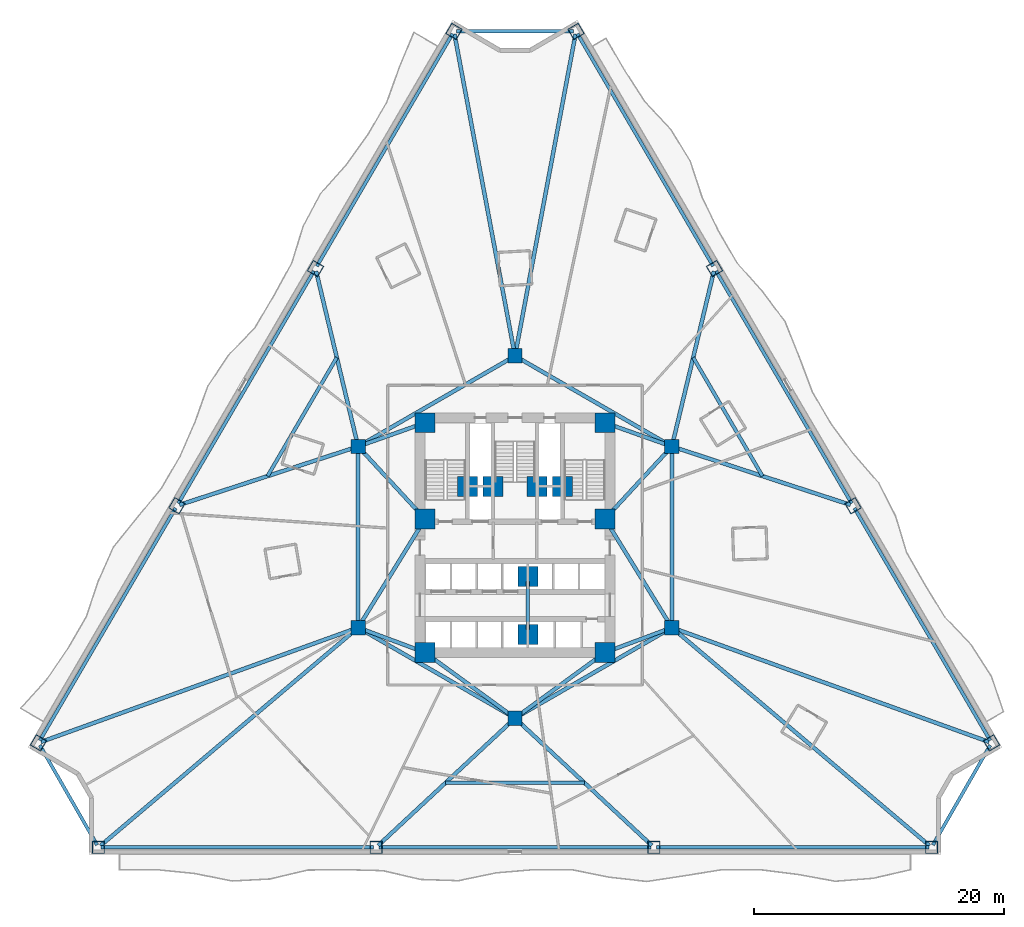
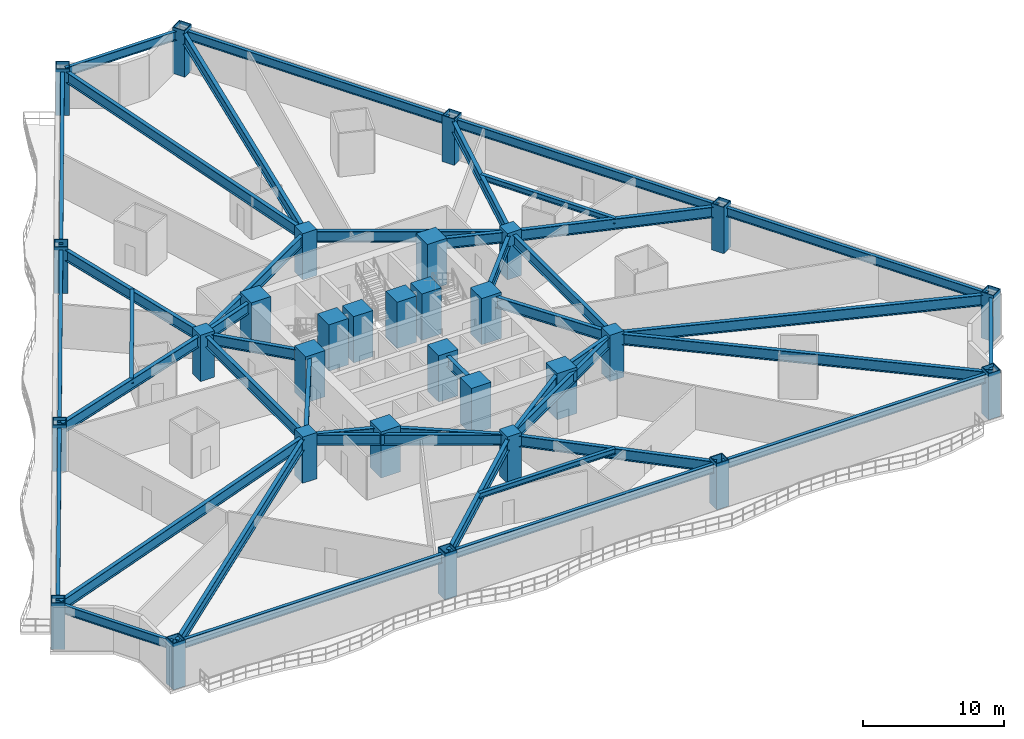
# One storey, part 1 of 12: 44 beams, 30 columns.
"""IFC4 building model written with IfcOpenShell, lengths in metres."""

from ifc_helpers import new_model, si_unit, direction, frame, origin, origin_2d, place, context, subcontext, project, spatial, rectangle, hollow_rectangle, i_section, extrude, material, material_profile, profile_set, type_object, element, save


model = new_model("IFC4")

# Units and contexts
model_context = context("Model", 3, precision=1e-05, world=origin(), true_north=direction((0.0, 1.0)))
body_context = subcontext(model_context, "Body", "Model", "MODEL_VIEW")
ifc_project = project(units=[si_unit("LENGTHUNIT", "METRE"), si_unit("AREAUNIT", "SQUARE_METRE"), si_unit("VOLUMEUNIT", "CUBIC_METRE"), si_unit("PLANEANGLEUNIT", "RADIAN"), si_unit("MASSUNIT", "GRAM", prefix="KILO")], contexts=[model_context])

# Site, building, storey
site_placement = place(None, origin())
site = spatial("IfcSite", under=ifc_project, at=site_placement, CompositionType="ELEMENT")
building_placement = place(site_placement, origin())
building = spatial("IfcBuilding", under=site, at=building_placement, Name="Apsidion Concourse Tower", CompositionType="ELEMENT")
storey_placement = place(building_placement, frame((0.0, 0.0, 50.39990234375)))
storey = spatial("IfcBuildingStorey", under=building, at=storey_placement, Name="L10", CompositionType="ELEMENT", Elevation=50.39990234375)

# Columns
ifc_material_1 = material(Name="Structural steel ASTM A572 Grade 50", Category="steel")
ifc_material_profile_1 = material_profile(ifc_material_1, hollow_rectangle(XDim=1.0, YDim=1.0, WallThickness=0.06005859375, at=origin_2d()), Name="BOX1000X1000X60")
ifc_profile_set_1 = profile_set([ifc_material_profile_1], Name="Structural steel ASTM A572 Grade 50")
column_type_1 = type_object("IfcColumnType", Name="COL-BOX-1000", PredefinedType="COLUMN", material=ifc_profile_set_1)
for number, where, z_axis, x_axis, name in (
    (1, (-4.887451171875, 40.481201171875, 0.0), (0.0, 0.0, 1.0), (0.50437692518, 0.863483594138, 0.0), "L10 Rotated Perimeter Column PC01"),
    (2, (-15.976318359375, 21.49365234375, 0.0), (0.0, 0.0, 1.0), (0.50437692518, 0.863483594138, 0.0), "L10 Rotated Perimeter Column PC02"),
    (3, (-27.065185546875, 2.50634765625, 0.0), (0.0, 0.0, 1.0), (0.50437692518, 0.863483594138, 0.0), "L10 Rotated Perimeter Column PC03"),
    (4, (-38.154052734375, -16.481201171875, 0.0), (0.0, 0.0, 1.0), (0.50437692518, 0.863483594138, 0.0), "L10 Rotated Perimeter Column PC04"),
    (5, (-33.35009765625, -24.85009765625, 0.0), (0.0, 0.0, 1.0), (1.0, 0.0, 0.0), "L10 Rotated Perimeter Column PC05"),
    (6, (-11.11669921875, -24.85009765625, 0.0), (0.0, 0.0, 1.0), (1.0, 0.0, 0.0), "L10 Rotated Perimeter Column PC06"),
    (7, (11.11669921875, -24.85009765625, 0.0), (0.0, 0.0, 1.0), (1.0, 0.0, 0.0), "L10 Rotated Perimeter Column PC07"),
    (8, (33.35009765625, -24.85009765625, 0.0), (0.0, 0.0, 1.0), (1.0, 0.0, 0.0), "L10 Rotated Perimeter Column PC08"),
    (9, (38.154052734375, -16.481201171875, 0.0), (0.0, 0.0, 1.0), (-0.50437692518, 0.863483594138, 0.0), "L10 Rotated Perimeter Column PC09"),
    (10, (27.065185546875, 2.50634765625, 0.0), (0.0, 0.0, 1.0), (-0.50437692518, 0.863483594138, 0.0), "L10 Rotated Perimeter Column PC10"),
    (11, (15.976318359375, 21.49365234375, 0.0), (0.0, 0.0, 1.0), (-0.50437692518, 0.863483594138, 0.0), "L10 Rotated Perimeter Column PC11"),
    (12, (4.887451171875, 40.481201171875, 0.0), (0.0, 0.0, 1.0), (-0.50437692518, 0.863483594138, 0.0), "L10 Rotated Perimeter Column PC12"),
):
    element("IfcColumn", number, at=place(storey_placement, frame(where, z_axis=z_axis, x_axis=x_axis)), inside=storey, type_object=column_type_1, Name=name, PredefinedType="COLUMN", context=body_context, shape_type="SweptSolid", body=[
        extrude(hollow_rectangle(XDim=1.0, YDim=1.0, WallThickness=0.06005859375, at=origin_2d()), origin(), (0.0, 0.0, 1.0), 4.0),
    ])
ifc_material_2 = material(Name="Concrete C50/60", Category="concrete")
ifc_material_profile_2 = material_profile(ifc_material_2, rectangle(XDim=1.14990234375, YDim=1.14990234375, at=origin_2d()), Name="RC 1150x1150")
ifc_profile_set_2 = profile_set([ifc_material_profile_2], Name="Concrete C50/60")
column_type_2 = type_object("IfcColumnType", Name="COL-RC-1150", PredefinedType="COLUMN", material=ifc_profile_set_2)
for number, where, z_axis, x_axis, name in (
    (13, (-12.56005859375, -7.25, 0.0), (0.0, 0.0, 1.0), (1.0, 0.0, 0.0), "L10 Interior Spine Column IC1"),
    (14, (12.56005859375, -7.25, 0.0), (0.0, 0.0, 1.0), (1.0, 0.0, 0.0), "L10 Interior Spine Column IC2"),
    (15, (12.56005859375, 7.25, 0.0), (0.0, 0.0, 1.0), (1.0, 0.0, 0.0), "L10 Interior Spine Column IC3"),
    (16, (0.0, 14.5, 0.0), (0.0, 0.0, 1.0), (1.0, 0.0, 0.0), "L10 Interior Spine Column IC4"),
    (17, (-12.56005859375, 7.25, 0.0), (0.0, 0.0, 1.0), (1.0, 0.0, 0.0), "L10 Interior Spine Column IC5"),
    (18, (0.0, -14.5, 0.0), (0.0, 0.0, 1.0), (1.0, 0.0, 0.0), "L10 Interior Spine Column IC6"),
):
    element("IfcColumn", number, at=place(storey_placement, frame(where, z_axis=z_axis, x_axis=x_axis)), inside=storey, type_object=column_type_2, Name=name, PredefinedType="COLUMN", context=body_context, shape_type="SweptSolid", body=[
        extrude(rectangle(XDim=1.14990234375, YDim=1.14990234375, at=origin_2d()), origin(), (0.0, 0.0, 1.0), 4.0),
    ])
ifc_material_3 = material(Name="Concrete C60/75", Category="concrete")
ifc_material_profile_3 = material_profile(ifc_material_3, rectangle(XDim=1.60009765625, YDim=1.60009765625, at=origin_2d()), Name="RC 1600x1600")
ifc_profile_set_3 = profile_set([ifc_material_profile_3], Name="Concrete C60/75")
column_type_3 = type_object("IfcColumnType", Name="COL-RC-1600", PredefinedType="COLUMN", material=ifc_profile_set_3)
for number, where, z_axis, x_axis, name in (
    (19, (-7.199951171875, -9.25, 0.0), (0.0, 0.0, 1.0), (1.0, 0.0, 0.0), "L10 Core Super-Column SC1"),
    (20, (7.199951171875, -9.25, 0.0), (0.0, 0.0, 1.0), (1.0, 0.0, 0.0), "L10 Core Super-Column SC2"),
    (21, (7.199951171875, 1.449951171875, 0.0), (0.0, 0.0, 1.0), (1.0, 0.0, 0.0), "L10 Core Super-Column SC3"),
    (22, (7.199951171875, 9.14990234375, 0.0), (0.0, 0.0, 1.0), (1.0, 0.0, 0.0), "L10 Core Super-Column SC4"),
    (23, (-7.199951171875, 9.14990234375, 0.0), (0.0, 0.0, 1.0), (1.0, 0.0, 0.0), "L10 Core Super-Column SC5"),
    (24, (-7.199951171875, 1.449951171875, 0.0), (0.0, 0.0, 1.0), (1.0, 0.0, 0.0), "L10 Core Super-Column SC6"),
    (25, (-3.800048828125, 4.050048828125, 0.0), (0.0, 0.0, 1.0), (1.0, 0.0, 0.0), "L10 Core Super-Column CC1"),
    (26, (3.800048828125, 4.050048828125, 0.0), (0.0, 0.0, 1.0), (1.0, 0.0, 0.0), "L10 Core Super-Column CC2"),
    (27, (-1.77490234375, 4.050048828125, 0.0), (0.0, 0.0, 1.0), (1.0, 0.0, 0.0), "L10 Core Super-Column CC3"),
    (28, (1.77490234375, 4.050048828125, 0.0), (0.0, 0.0, 1.0), (1.0, 0.0, 0.0), "L10 Core Super-Column CC4"),
    (29, (1.02490234375, -3.14990234375, 0.0), (0.0, 0.0, 1.0), (1.0, 0.0, 0.0), "L10 Core Super-Column CC5"),
    (30, (1.02490234375, -7.800048828125, 0.0), (0.0, 0.0, 1.0), (1.0, 0.0, 0.0), "L10 Core Super-Column CC6"),
):
    element("IfcColumn", number, at=place(storey_placement, frame(where, z_axis=z_axis, x_axis=x_axis)), inside=storey, type_object=column_type_3, Name=name, PredefinedType="COLUMN", context=body_context, shape_type="SweptSolid", body=[
        extrude(rectangle(XDim=1.60009765625, YDim=1.60009765625, at=origin_2d()), origin(), (0.0, 0.0, 1.0), 4.0),
    ])

# Beams
ifc_material_4 = material(Name="Structural steel ASTM A992 Grade 50", Category="steel")
ifc_material_profile_4 = material_profile(ifc_material_4, i_section(OverallWidth=0.283935546875, OverallDepth=0.47607421875, WebThickness=0.014892578125, FlangeThickness=0.02392578125, at=origin_2d()), Name="W18X106")
ifc_profile_set_4 = profile_set([ifc_material_profile_4], Name="Structural steel ASTM A992 Grade 50")
beam_type_1 = type_object("IfcBeamType", Name="BM-FL-W18H", PredefinedType="BEAM", material=ifc_profile_set_4)
beam_1_placement = place(storey_placement, frame((-14.268310546875, 14.371826171875, 3.51220703125), z_axis=(-0.504293469124, -0.863532336974, 0.0), x_axis=(0.863532336974, -0.504293469124, 0.0)))
element("IfcBeam", 31, at=beam_1_placement, inside=storey, type_object=beam_type_1, Name="L10 Secondary Floor Beam SEC-F1", PredefinedType="BEAM", context=body_context, shape_type="SweptSolid", body=[
    extrude(i_section(OverallWidth=0.283935546875, OverallDepth=0.47607421875, WebThickness=0.014892578125, FlangeThickness=0.02392578125, at=origin_2d()), origin(), (0.0, 0.0, 1.0), 10.993896484375),
])
beam_2_placement = place(storey_placement, frame((-5.558349609375, -19.675048828125, 3.51220703125), z_axis=(1.0, 0.0, 0.0), x_axis=(0.0, 1.0, 0.0)))
element("IfcBeam", 32, at=beam_2_placement, inside=storey, type_object=beam_type_1, Name="L10 Secondary Floor Beam SEC-F2", PredefinedType="BEAM", context=body_context, shape_type="SweptSolid", body=[
    extrude(i_section(OverallWidth=0.283935546875, OverallDepth=0.47607421875, WebThickness=0.014892578125, FlangeThickness=0.02392578125, at=origin_2d()), origin(), (0.0, 0.0, 1.0), 11.11669921875),
])
beam_3_placement = place(storey_placement, frame((19.8125, 4.878173828125, 3.51220703125), z_axis=(-0.504293469124, 0.863532336974, 0.0), x_axis=(-0.863532336974, -0.504293469124, 0.0)))
element("IfcBeam", 33, at=beam_3_placement, inside=storey, type_object=beam_type_1, Name="L10 Secondary Floor Beam SEC-F3", PredefinedType="BEAM", context=body_context, shape_type="SweptSolid", body=[
    extrude(i_section(OverallWidth=0.283935546875, OverallDepth=0.47607421875, WebThickness=0.014892578125, FlangeThickness=0.02392578125, at=origin_2d()), origin(), (0.0, 0.0, 1.0), 10.993896484375),
])
ifc_material_profile_5 = material_profile(ifc_material_4, i_section(OverallWidth=0.31005859375, OverallDepth=0.931884765625, WebThickness=0.02099609375, FlangeThickness=0.034423828125, at=origin_2d()), Name="W36X210")
ifc_profile_set_5 = profile_set([ifc_material_profile_5], Name="Structural steel ASTM A992 Grade 50")
beam_type_2 = type_object("IfcBeamType", Name="BM-G-W36", PredefinedType="USERDEFINED", material=ifc_profile_set_5)
beam_4_placement = place(storey_placement, frame((-12.185302734375, -7.389892578125, 3.2841796875), z_axis=(0.936913021145, -0.349562570664, 0.0), x_axis=(0.349562570664, 0.936913021145, 0.0)))
element("IfcBeam", 34, at=beam_4_placement, inside=storey, type_object=beam_type_2, Name="L10 Core Coupling Girder IC1-SC1", ObjectType="GIRDER", PredefinedType="USERDEFINED", context=body_context, shape_type="SweptSolid", body=[
    extrude(i_section(OverallWidth=0.31005859375, OverallDepth=0.931884765625, WebThickness=0.02099609375, FlangeThickness=0.034423828125, at=origin_2d()), origin(), (0.0, 0.0, 1.0), 4.921142578125),
])
beam_5_placement = place(storey_placement, frame((-12.35009765625, -6.909423828125, 3.2841796875), z_axis=(0.524524009763, 0.851395656074, 0.0), x_axis=(-0.851395656074, 0.524524009763, 0.0)))
element("IfcBeam", 35, at=beam_5_placement, inside=storey, type_object=beam_type_2, Name="L10 Core Coupling Girder IC1-SC6", ObjectType="GIRDER", PredefinedType="USERDEFINED", context=body_context, shape_type="SweptSolid", body=[
    extrude(i_section(OverallWidth=0.31005859375, OverallDepth=0.931884765625, WebThickness=0.02099609375, FlangeThickness=0.034423828125, at=origin_2d()), origin(), (0.0, 0.0, 1.0), 9.41845703125),
])
beam_6_placement = place(storey_placement, frame((12.185302734375, -7.389892578125, 3.2841796875), z_axis=(-0.936913021145, -0.349562570664, 0.0), x_axis=(0.349562570664, -0.936913021145, 0.0)))
element("IfcBeam", 36, at=beam_6_placement, inside=storey, type_object=beam_type_2, Name="L10 Core Coupling Girder IC2-SC2", ObjectType="GIRDER", PredefinedType="USERDEFINED", context=body_context, shape_type="SweptSolid", body=[
    extrude(i_section(OverallWidth=0.31005859375, OverallDepth=0.931884765625, WebThickness=0.02099609375, FlangeThickness=0.034423828125, at=origin_2d()), origin(), (0.0, 0.0, 1.0), 4.921142578125),
])
beam_7_placement = place(storey_placement, frame((12.35009765625, -6.909423828125, 3.2841796875), z_axis=(-0.524524009763, 0.851395656074, 0.0), x_axis=(-0.851395656074, -0.524524009763, 0.0)))
element("IfcBeam", 37, at=beam_7_placement, inside=storey, type_object=beam_type_2, Name="L10 Core Coupling Girder IC2-SC3", ObjectType="GIRDER", PredefinedType="USERDEFINED", context=body_context, shape_type="SweptSolid", body=[
    extrude(i_section(OverallWidth=0.31005859375, OverallDepth=0.931884765625, WebThickness=0.02099609375, FlangeThickness=0.034423828125, at=origin_2d()), origin(), (0.0, 0.0, 1.0), 9.41845703125),
])
beam_8_placement = place(storey_placement, frame((12.28857421875, 6.956298828125, 3.2841796875), z_axis=(-0.678712876106, -0.73440372535, 0.0), x_axis=(0.73440372535, -0.678712876106, 0.0)))
element("IfcBeam", 38, at=beam_8_placement, inside=storey, type_object=beam_type_2, Name="L10 Core Coupling Girder IC3-SC3", ObjectType="GIRDER", PredefinedType="USERDEFINED", context=body_context, shape_type="SweptSolid", body=[
    extrude(i_section(OverallWidth=0.31005859375, OverallDepth=0.931884765625, WebThickness=0.02099609375, FlangeThickness=0.034423828125, at=origin_2d()), origin(), (0.0, 0.0, 1.0), 7.097412109375),
])
beam_9_placement = place(storey_placement, frame((12.18310546875, 7.383544921875, 3.2841796875), z_axis=(-0.942533844539, 0.334110688094, 0.0), x_axis=(-0.334110688094, -0.942533844539, 0.0)))
element("IfcBeam", 39, at=beam_9_placement, inside=storey, type_object=beam_type_2, Name="L10 Core Coupling Girder IC3-SC4", ObjectType="GIRDER", PredefinedType="USERDEFINED", context=body_context, shape_type="SweptSolid", body=[
    extrude(i_section(OverallWidth=0.31005859375, OverallDepth=0.931884765625, WebThickness=0.02099609375, FlangeThickness=0.034423828125, at=origin_2d()), origin(), (0.0, 0.0, 1.0), 4.886962890625),
])
beam_10_placement = place(storey_placement, frame((-12.28857421875, 6.956298828125, 3.2841796875), z_axis=(0.678712876106, -0.73440372535, 0.0), x_axis=(0.73440372535, 0.678712876106, 0.0)))
element("IfcBeam", 40, at=beam_10_placement, inside=storey, type_object=beam_type_2, Name="L10 Core Coupling Girder IC5-SC6", ObjectType="GIRDER", PredefinedType="USERDEFINED", context=body_context, shape_type="SweptSolid", body=[
    extrude(i_section(OverallWidth=0.31005859375, OverallDepth=0.931884765625, WebThickness=0.02099609375, FlangeThickness=0.034423828125, at=origin_2d()), origin(), (0.0, 0.0, 1.0), 7.097412109375),
])
beam_11_placement = place(storey_placement, frame((-12.18310546875, 7.383544921875, 3.2841796875), z_axis=(0.942533844539, 0.334110688094, 0.0), x_axis=(-0.334110688094, 0.942533844539, 0.0)))
element("IfcBeam", 41, at=beam_11_placement, inside=storey, type_object=beam_type_2, Name="L10 Core Coupling Girder IC5-SC5", ObjectType="GIRDER", PredefinedType="USERDEFINED", context=body_context, shape_type="SweptSolid", body=[
    extrude(i_section(OverallWidth=0.31005859375, OverallDepth=0.931884765625, WebThickness=0.02099609375, FlangeThickness=0.034423828125, at=origin_2d()), origin(), (0.0, 0.0, 1.0), 4.886962890625),
])
for number, where, z_axis, x_axis, name in (
    (42, (-0.3232421875, -14.264404296875, 3.2841796875), (-0.807993498909, 0.589191399905, 0.0), (-0.589191399905, -0.807993498909, 0.0), "L10 Core Coupling Girder IC6-SC1"),
    (43, (0.3232421875, -14.264404296875, 3.2841796875), (0.807993498909, 0.589191399905, 0.0), (-0.589191399905, 0.807993498909, 0.0), "L10 Core Coupling Girder IC6-SC2"),
):
    element("IfcBeam", number, at=place(storey_placement, frame(where, z_axis=z_axis, x_axis=x_axis)), inside=storey, type_object=beam_type_2, Name=name, ObjectType="GIRDER", PredefinedType="USERDEFINED", context=body_context, shape_type="SweptSolid", body=[
        extrude(i_section(OverallWidth=0.31005859375, OverallDepth=0.931884765625, WebThickness=0.02099609375, FlangeThickness=0.034423828125, at=origin_2d()), origin(), (0.0, 0.0, 1.0), 8.11083984375),
    ])
beam_12_placement = place(storey_placement, frame((-12.56005859375, -6.85009765625, 3.2841796875), z_axis=(0.0, 1.0, 0.0), x_axis=(-1.0, 0.0, 0.0)))
element("IfcBeam", 44, at=beam_12_placement, inside=storey, type_object=beam_type_2, Name="L10 Core Coupling Girder IC1-IC5", ObjectType="GIRDER", PredefinedType="USERDEFINED", context=body_context, shape_type="SweptSolid", body=[
    extrude(i_section(OverallWidth=0.31005859375, OverallDepth=0.931884765625, WebThickness=0.02099609375, FlangeThickness=0.034423828125, at=origin_2d()), origin(), (0.0, 0.0, 1.0), 13.7001953125),
])
for number, where, z_axis, x_axis, name in (
    (45, (-12.213623046875, 7.449951171875, 3.2841796875), (0.866070471464, 0.499921932364, 0.0), (-0.499921932364, 0.866070471464, 0.0), "L10 Core Coupling Girder IC5-IC4"),
    (46, (0.346435546875, 14.300048828125, 3.2841796875), (0.866070471464, -0.499921932364, 0.0), (0.499921932364, 0.866070471464, 0.0), "L10 Core Coupling Girder IC4-IC3"),
):
    element("IfcBeam", number, at=place(storey_placement, frame(where, z_axis=z_axis, x_axis=x_axis)), inside=storey, type_object=beam_type_2, Name=name, ObjectType="GIRDER", PredefinedType="USERDEFINED", context=body_context, shape_type="SweptSolid", body=[
        extrude(i_section(OverallWidth=0.31005859375, OverallDepth=0.931884765625, WebThickness=0.02099609375, FlangeThickness=0.034423828125, at=origin_2d()), origin(), (0.0, 0.0, 1.0), 13.702392578125),
    ])
beam_13_placement = place(storey_placement, frame((12.56005859375, 6.85009765625, 3.2841796875), z_axis=(0.0, -1.0, 0.0), x_axis=(1.0, 0.0, 0.0)))
element("IfcBeam", 47, at=beam_13_placement, inside=storey, type_object=beam_type_2, Name="L10 Core Coupling Girder IC3-IC2", ObjectType="GIRDER", PredefinedType="USERDEFINED", context=body_context, shape_type="SweptSolid", body=[
    extrude(i_section(OverallWidth=0.31005859375, OverallDepth=0.931884765625, WebThickness=0.02099609375, FlangeThickness=0.034423828125, at=origin_2d()), origin(), (0.0, 0.0, 1.0), 13.7001953125),
])
for number, where, z_axis, x_axis, name in (
    (48, (12.213623046875, -7.449951171875, 3.2841796875), (-0.866070471464, -0.499921932364, 0.0), (0.499921932364, -0.866070471464, 0.0), "L10 Core Coupling Girder IC2-IC6"),
    (49, (-0.346435546875, -14.300048828125, 3.2841796875), (-0.866070471464, 0.499921932364, 0.0), (-0.499921932364, -0.866070471464, 0.0), "L10 Core Coupling Girder IC6-IC1"),
):
    element("IfcBeam", number, at=place(storey_placement, frame(where, z_axis=z_axis, x_axis=x_axis)), inside=storey, type_object=beam_type_2, Name=name, ObjectType="GIRDER", PredefinedType="USERDEFINED", context=body_context, shape_type="SweptSolid", body=[
        extrude(i_section(OverallWidth=0.31005859375, OverallDepth=0.931884765625, WebThickness=0.02099609375, FlangeThickness=0.034423828125, at=origin_2d()), origin(), (0.0, 0.0, 1.0), 13.702392578125),
    ])
beam_14_placement = place(storey_placement, frame((1.02490234375, -3.550048828125, 3.2841796875), z_axis=(0.0, -1.0, 0.0), x_axis=(1.0, 0.0, 0.0)))
element("IfcBeam", 50, at=beam_14_placement, inside=storey, type_object=beam_type_2, Name="L10 Core Coupling Girder CC5-CC6", ObjectType="GIRDER", PredefinedType="USERDEFINED", context=body_context, shape_type="SweptSolid", body=[
    extrude(i_section(OverallWidth=0.31005859375, OverallDepth=0.931884765625, WebThickness=0.02099609375, FlangeThickness=0.034423828125, at=origin_2d()), origin(), (0.0, 0.0, 1.0), 3.849853515625),
])
beam_15_placement = place(storey_placement, frame((-0.040771484375, 14.71630859375, 3.2841796875), z_axis=(-0.184866293989, 0.982763681333, 0.0), x_axis=(-0.982763681333, -0.184866293989, 0.0)))
element("IfcBeam", 51, at=beam_15_placement, inside=storey, type_object=beam_type_2, Name="L10 Radial Floor Girder RAD-01", ObjectType="GIRDER", PredefinedType="USERDEFINED", context=body_context, shape_type="SweptSolid", body=[
    extrude(i_section(OverallWidth=0.31005859375, OverallDepth=0.931884765625, WebThickness=0.02099609375, FlangeThickness=0.034423828125, at=origin_2d()), origin(), (0.0, 0.0, 1.0), 25.99658203125),
])
beam_16_placement = place(storey_placement, frame((-12.611328125, 7.4638671875, 3.2841796875), z_axis=(-0.233233219452, 0.972420827288, 0.0), x_axis=(-0.972420827288, -0.233233219452, 0.0)))
element("IfcBeam", 52, at=beam_16_placement, inside=storey, type_object=beam_type_2, Name="L10 Radial Floor Girder RAD-02", ObjectType="GIRDER", PredefinedType="USERDEFINED", context=body_context, shape_type="SweptSolid", body=[
    extrude(i_section(OverallWidth=0.31005859375, OverallDepth=0.931884765625, WebThickness=0.02099609375, FlangeThickness=0.034423828125, at=origin_2d()), origin(), (0.0, 0.0, 1.0), 14.207763671875),
])
beam_17_placement = place(storey_placement, frame((-12.76904296875, 7.181640625, 3.2841796875), z_axis=(-0.950465100465, -0.310831293145, 0.0), x_axis=(0.310831293145, -0.950465100465, 0.0)))
element("IfcBeam", 53, at=beam_17_placement, inside=storey, type_object=beam_type_2, Name="L10 Radial Floor Girder RAD-03", ObjectType="GIRDER", PredefinedType="USERDEFINED", context=body_context, shape_type="SweptSolid", body=[
    extrude(i_section(OverallWidth=0.31005859375, OverallDepth=0.931884765625, WebThickness=0.02099609375, FlangeThickness=0.034423828125, at=origin_2d()), origin(), (0.0, 0.0, 1.0), 14.8212890625),
])
beam_18_placement = place(storey_placement, frame((-12.76708984375, -7.32470703125, 3.2841796875), z_axis=(-0.940684701446, -0.339282024968, 0.0), x_axis=(0.339282024968, -0.940684701446, 0.0)))
element("IfcBeam", 54, at=beam_18_placement, inside=storey, type_object=beam_type_2, Name="L10 Radial Floor Girder RAD-04", ObjectType="GIRDER", PredefinedType="USERDEFINED", context=body_context, shape_type="SweptSolid", body=[
    extrude(i_section(OverallWidth=0.31005859375, OverallDepth=0.931884765625, WebThickness=0.02099609375, FlangeThickness=0.034423828125, at=origin_2d()), origin(), (0.0, 0.0, 1.0), 26.767578125),
])
beam_19_placement = place(storey_placement, frame((-12.727783203125, -7.39208984375, 3.2841796875), z_axis=(-0.763231804576, -0.646124765416, 0.0), x_axis=(0.646124765416, -0.763231804576, 0.0)))
element("IfcBeam", 55, at=beam_19_placement, inside=storey, type_object=beam_type_2, Name="L10 Radial Floor Girder RAD-05", ObjectType="GIRDER", PredefinedType="USERDEFINED", context=body_context, shape_type="SweptSolid", body=[
    extrude(i_section(OverallWidth=0.31005859375, OverallDepth=0.931884765625, WebThickness=0.02099609375, FlangeThickness=0.034423828125, at=origin_2d()), origin(), (0.0, 0.0, 1.0), 26.799560546875),
])
for number, where, z_axis, x_axis, name in (
    (56, (-0.160888671875, -14.64990234375, 3.2841796875), (-0.731899098402, -0.681413024353, 0.0), (0.681413024353, -0.731899098402, 0.0), "L10 Radial Floor Girder RAD-06"),
    (57, (0.160888671875, -14.64990234375, 3.2841796875), (0.731899098402, -0.681413024353, 0.0), (0.681413024353, 0.731899098402, 0.0), "L10 Radial Floor Girder RAD-07"),
):
    element("IfcBeam", number, at=place(storey_placement, frame(where, z_axis=z_axis, x_axis=x_axis)), inside=storey, type_object=beam_type_2, Name=name, ObjectType="GIRDER", PredefinedType="USERDEFINED", context=body_context, shape_type="SweptSolid", body=[
        extrude(i_section(OverallWidth=0.31005859375, OverallDepth=0.931884765625, WebThickness=0.02099609375, FlangeThickness=0.034423828125, at=origin_2d()), origin(), (0.0, 0.0, 1.0), 14.749267578125),
    ])
beam_20_placement = place(storey_placement, frame((12.727783203125, -7.39208984375, 3.2841796875), z_axis=(0.763231804576, -0.646124765416, 0.0), x_axis=(0.646124765416, 0.763231804576, 0.0)))
element("IfcBeam", 58, at=beam_20_placement, inside=storey, type_object=beam_type_2, Name="L10 Radial Floor Girder RAD-08", ObjectType="GIRDER", PredefinedType="USERDEFINED", context=body_context, shape_type="SweptSolid", body=[
    extrude(i_section(OverallWidth=0.31005859375, OverallDepth=0.931884765625, WebThickness=0.02099609375, FlangeThickness=0.034423828125, at=origin_2d()), origin(), (0.0, 0.0, 1.0), 26.799560546875),
])
beam_21_placement = place(storey_placement, frame((12.76708984375, -7.32470703125, 3.2841796875), z_axis=(0.940684701446, -0.339282024968, 0.0), x_axis=(0.339282024968, 0.940684701446, 0.0)))
element("IfcBeam", 59, at=beam_21_placement, inside=storey, type_object=beam_type_2, Name="L10 Radial Floor Girder RAD-09", ObjectType="GIRDER", PredefinedType="USERDEFINED", context=body_context, shape_type="SweptSolid", body=[
    extrude(i_section(OverallWidth=0.31005859375, OverallDepth=0.931884765625, WebThickness=0.02099609375, FlangeThickness=0.034423828125, at=origin_2d()), origin(), (0.0, 0.0, 1.0), 26.767578125),
])
beam_22_placement = place(storey_placement, frame((12.76904296875, 7.181640625, 3.2841796875), z_axis=(0.950465100465, -0.310831293145, 0.0), x_axis=(0.310831293145, 0.950465100465, 0.0)))
element("IfcBeam", 60, at=beam_22_placement, inside=storey, type_object=beam_type_2, Name="L10 Radial Floor Girder RAD-10", ObjectType="GIRDER", PredefinedType="USERDEFINED", context=body_context, shape_type="SweptSolid", body=[
    extrude(i_section(OverallWidth=0.31005859375, OverallDepth=0.931884765625, WebThickness=0.02099609375, FlangeThickness=0.034423828125, at=origin_2d()), origin(), (0.0, 0.0, 1.0), 14.8212890625),
])
beam_23_placement = place(storey_placement, frame((12.611328125, 7.4638671875, 3.2841796875), z_axis=(0.233233219452, 0.972420827288, 0.0), x_axis=(-0.972420827288, 0.233233219452, 0.0)))
element("IfcBeam", 61, at=beam_23_placement, inside=storey, type_object=beam_type_2, Name="L10 Radial Floor Girder RAD-11", ObjectType="GIRDER", PredefinedType="USERDEFINED", context=body_context, shape_type="SweptSolid", body=[
    extrude(i_section(OverallWidth=0.31005859375, OverallDepth=0.931884765625, WebThickness=0.02099609375, FlangeThickness=0.034423828125, at=origin_2d()), origin(), (0.0, 0.0, 1.0), 14.207763671875),
])
beam_24_placement = place(storey_placement, frame((0.040771484375, 14.71630859375, 3.2841796875), z_axis=(0.184866293989, 0.982763681333, 0.0), x_axis=(-0.982763681333, 0.184866293989, 0.0)))
element("IfcBeam", 62, at=beam_24_placement, inside=storey, type_object=beam_type_2, Name="L10 Radial Floor Girder RAD-12", ObjectType="GIRDER", PredefinedType="USERDEFINED", context=body_context, shape_type="SweptSolid", body=[
    extrude(i_section(OverallWidth=0.31005859375, OverallDepth=0.931884765625, WebThickness=0.02099609375, FlangeThickness=0.034423828125, at=origin_2d()), origin(), (0.0, 0.0, 1.0), 25.99658203125),
])
ifc_material_profile_6 = material_profile(ifc_material_4, i_section(OverallWidth=0.26806640625, OverallDepth=0.77001953125, WebThickness=0.015625, FlangeThickness=0.025390625, at=origin_2d()), Name="W30X132")
ifc_profile_set_6 = profile_set([ifc_material_profile_6], Name="Structural steel ASTM A992 Grade 50")
beam_type_3 = type_object("IfcBeamType", Name="BM-SP-W30", PredefinedType="SPANDREL", material=ifc_profile_set_6)
for number, where, z_axis, x_axis, name in (
    (63, (-4.998291015625, 40.291015625, 3.364990234375), (-0.504316170532, -0.863519079198, 0.0), (0.863519079198, -0.504316170532, 0.0), "L10 Perimeter Spandrel Girder SP-01"),
    (64, (-16.087158203125, 21.3037109375, 3.364990234375), (-0.504316170532, -0.863519079198, 0.0), (0.863519079198, -0.504316170532, 0.0), "L10 Perimeter Spandrel Girder SP-02"),
    (65, (-27.176025390625, 2.31640625, 3.364990234375), (-0.504316170532, -0.863519079198, 0.0), (0.863519079198, -0.504316170532, 0.0), "L10 Perimeter Spandrel Girder SP-03"),
):
    element("IfcBeam", number, at=place(storey_placement, frame(where, z_axis=z_axis, x_axis=x_axis)), inside=storey, type_object=beam_type_3, Name=name, PredefinedType="SPANDREL", context=body_context, shape_type="SweptSolid", body=[
        extrude(i_section(OverallWidth=0.26806640625, OverallDepth=0.77001953125, WebThickness=0.015625, FlangeThickness=0.025390625, at=origin_2d()), origin(), (0.0, 0.0, 1.0), 21.54833984375),
    ])
beam_25_placement = place(storey_placement, frame((-38.04443359375, -16.671875, 3.364990234375), z_axis=(0.497839457155, -0.867269205553, 0.0), x_axis=(0.867269205553, 0.497839457155, 0.0)))
element("IfcBeam", 66, at=beam_25_placement, inside=storey, type_object=beam_type_3, Name="L10 Perimeter Spandrel Girder SP-04", PredefinedType="SPANDREL", context=body_context, shape_type="SweptSolid", body=[
    extrude(i_section(OverallWidth=0.26806640625, OverallDepth=0.77001953125, WebThickness=0.015625, FlangeThickness=0.025390625, at=origin_2d()), origin(), (0.0, 0.0, 1.0), 9.209716796875),
])
beam_26_placement = place(storey_placement, frame((-33.1298828125, -24.85009765625, 3.364990234375), z_axis=(1.0, 0.0, 0.0), x_axis=(0.0, 1.0, 0.0)))
element("IfcBeam", 67, at=beam_26_placement, inside=storey, type_object=beam_type_3, Name="L10 Perimeter Spandrel Girder SP-05", PredefinedType="SPANDREL", context=body_context, shape_type="SweptSolid", body=[
    extrude(i_section(OverallWidth=0.26806640625, OverallDepth=0.77001953125, WebThickness=0.015625, FlangeThickness=0.025390625, at=origin_2d()), origin(), (0.0, 0.0, 1.0), 21.793212890625),
])
beam_27_placement = place(storey_placement, frame((-10.896728515625, -24.85009765625, 3.364990234375), z_axis=(1.0, 0.0, 0.0), x_axis=(0.0, 1.0, 0.0)))
element("IfcBeam", 68, at=beam_27_placement, inside=storey, type_object=beam_type_3, Name="L10 Perimeter Spandrel Girder SP-06", PredefinedType="SPANDREL", context=body_context, shape_type="SweptSolid", body=[
    extrude(i_section(OverallWidth=0.26806640625, OverallDepth=0.77001953125, WebThickness=0.015625, FlangeThickness=0.025390625, at=origin_2d()), origin(), (0.0, 0.0, 1.0), 21.79345703125),
])
beam_28_placement = place(storey_placement, frame((11.336669921875, -24.85009765625, 3.364990234375), z_axis=(1.0, 0.0, 0.0), x_axis=(0.0, 1.0, 0.0)))
element("IfcBeam", 69, at=beam_28_placement, inside=storey, type_object=beam_type_3, Name="L10 Perimeter Spandrel Girder SP-07", PredefinedType="SPANDREL", context=body_context, shape_type="SweptSolid", body=[
    extrude(i_section(OverallWidth=0.26806640625, OverallDepth=0.77001953125, WebThickness=0.015625, FlangeThickness=0.025390625, at=origin_2d()), origin(), (0.0, 0.0, 1.0), 21.793212890625),
])
beam_29_placement = place(storey_placement, frame((33.45947265625, -24.6591796875, 3.364990234375), z_axis=(0.497839457155, 0.867269205553, 0.0), x_axis=(-0.867269205553, 0.497839457155, 0.0)))
element("IfcBeam", 70, at=beam_29_placement, inside=storey, type_object=beam_type_3, Name="L10 Perimeter Spandrel Girder SP-08", PredefinedType="SPANDREL", context=body_context, shape_type="SweptSolid", body=[
    extrude(i_section(OverallWidth=0.26806640625, OverallDepth=0.77001953125, WebThickness=0.015625, FlangeThickness=0.025390625, at=origin_2d()), origin(), (0.0, 0.0, 1.0), 9.209716796875),
])
for number, where, z_axis, x_axis, name in (
    (71, (38.043212890625, -16.291015625, 3.364990234375), (-0.504316170532, 0.863519079198, 0.0), (-0.863519079198, -0.504316170532, 0.0), "L10 Perimeter Spandrel Girder SP-09"),
    (72, (26.954345703125, 2.6962890625, 3.364990234375), (-0.504316170532, 0.863519079198, 0.0), (-0.863519079198, -0.504316170532, 0.0), "L10 Perimeter Spandrel Girder SP-10"),
    (73, (15.865478515625, 21.68359375, 3.364990234375), (-0.504316170532, 0.863519079198, 0.0), (-0.863519079198, -0.504316170532, 0.0), "L10 Perimeter Spandrel Girder SP-11"),
):
    element("IfcBeam", number, at=place(storey_placement, frame(where, z_axis=z_axis, x_axis=x_axis)), inside=storey, type_object=beam_type_3, Name=name, PredefinedType="SPANDREL", context=body_context, shape_type="SweptSolid", body=[
        extrude(i_section(OverallWidth=0.26806640625, OverallDepth=0.77001953125, WebThickness=0.015625, FlangeThickness=0.025390625, at=origin_2d()), origin(), (0.0, 0.0, 1.0), 21.54833984375),
    ])
beam_30_placement = place(storey_placement, frame((4.66748046875, 40.481201171875, 3.364990234375), z_axis=(-1.0, 0.0, 0.0), x_axis=(0.0, -1.0, 0.0)))
element("IfcBeam", 74, at=beam_30_placement, inside=storey, type_object=beam_type_3, Name="L10 Perimeter Spandrel Girder SP-12", PredefinedType="SPANDREL", context=body_context, shape_type="SweptSolid", body=[
    extrude(i_section(OverallWidth=0.26806640625, OverallDepth=0.77001953125, WebThickness=0.015625, FlangeThickness=0.025390625, at=origin_2d()), origin(), (0.0, 0.0, 1.0), 9.3349609375),
])

save(model, "model.ifc")
